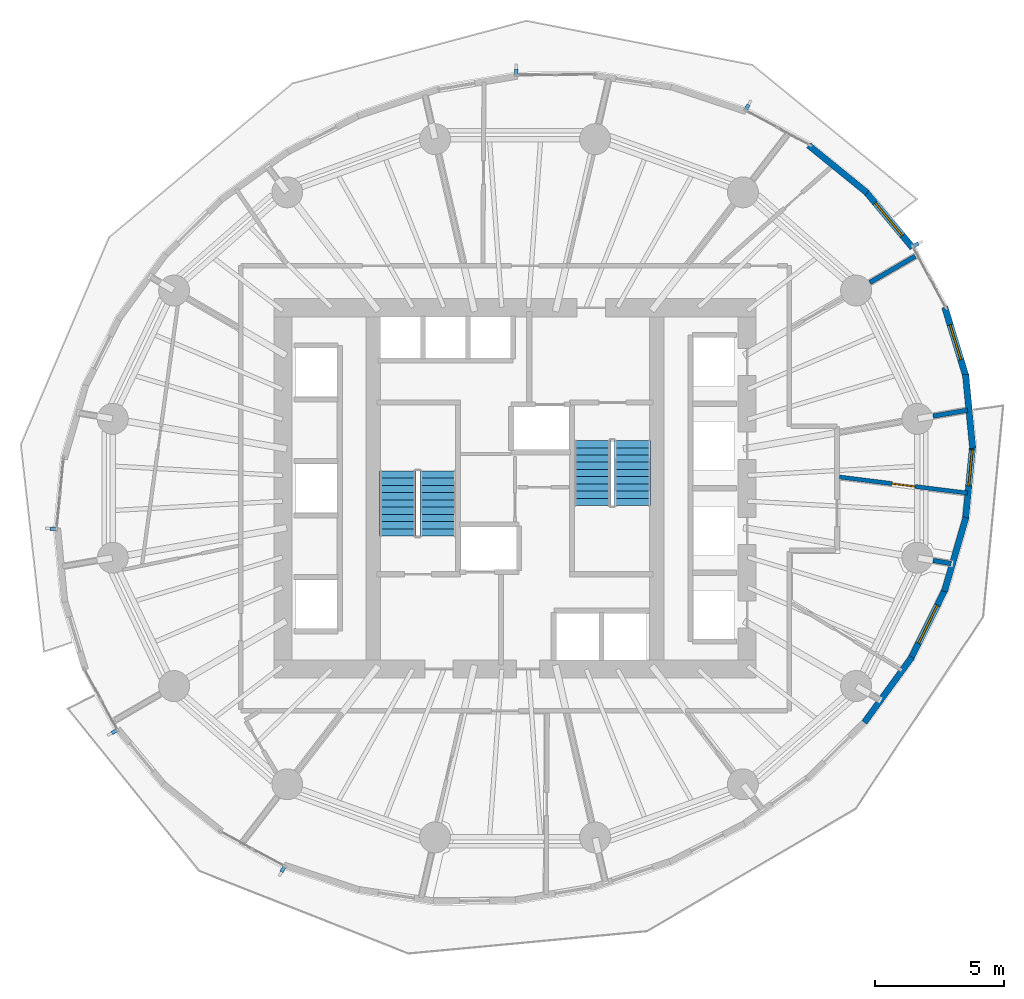
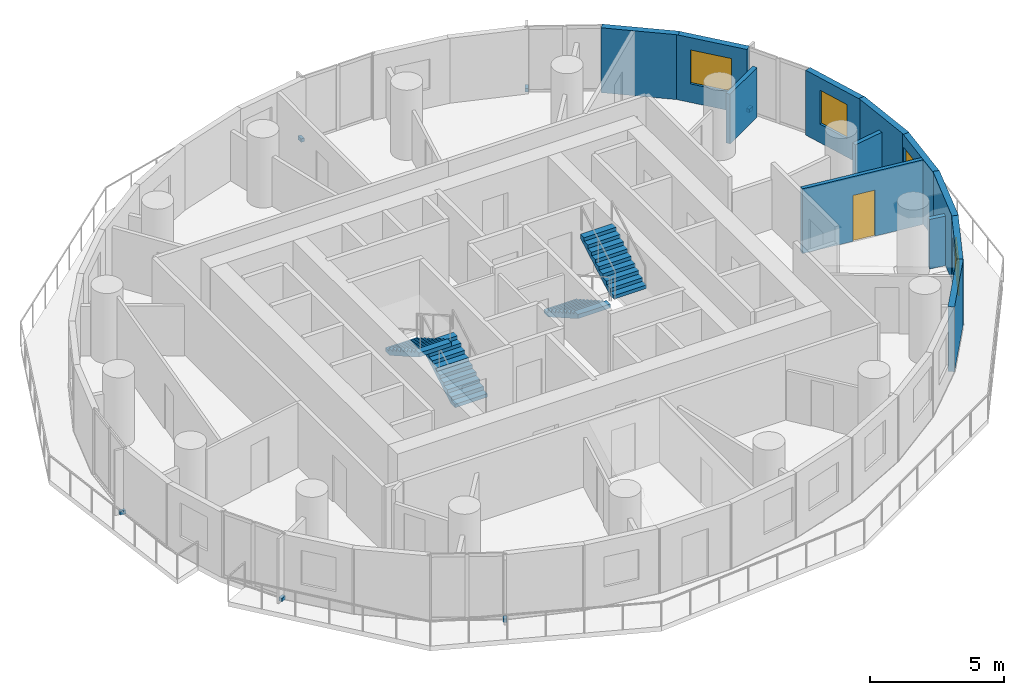
# One storey, part 10 of 14: 12 walls, 6 discrete accessories, 4 stair flights, 4 windows, 1 door, 5 openings, 2 elements without a shape of their own.
"""IFC4 building model written with IfcOpenShell, lengths in metres."""

from ifc_helpers import new_model, si_unit, direction, frame, frame_2d, origin, origin_2d, place, context, subcontext, project, spatial, polyline, rectangle, outline, extrude, material, layer, layer_set, type_object, element, fill, aggregate, save


model = new_model("IFC4")

# Units and contexts
model_context = context("Model", 3, precision=1e-05, world=origin(), true_north=direction((0.0, 1.0)))
body_context = subcontext(model_context, "Body", "Model", "MODEL_VIEW")
ifc_project = project(units=[si_unit("LENGTHUNIT", "METRE"), si_unit("AREAUNIT", "SQUARE_METRE"), si_unit("VOLUMEUNIT", "CUBIC_METRE"), si_unit("PLANEANGLEUNIT", "RADIAN"), si_unit("MASSUNIT", "GRAM", prefix="KILO")], contexts=[model_context])

# Site, building, storey
site_placement = place(None, origin())
site = spatial("IfcSite", under=ifc_project, at=site_placement, CompositionType="ELEMENT")
building_placement = place(site_placement, origin())
building = spatial("IfcBuilding", under=site, at=building_placement, Name="Veldorim Arch Residences", CompositionType="ELEMENT")
storey_placement = place(building_placement, frame((0.0, 0.0, 93.280029296875)))
storey = spatial("IfcBuildingStorey", under=building, at=storey_placement, Name="L27", CompositionType="ELEMENT", Elevation=93.280029296875)

# Walls
ifc_material_1 = material(Name="Lightweight Masonry Block & Gypsum", Category="masonry")
ifc_layer_1 = layer(ifc_material_1, 0.179931640625, Name="Compartment & Corridor Fire-Rated Party Wall 180")
ifc_layer_set_1 = layer_set([ifc_layer_1], Name="Lightweight Masonry Block & Gypsum")
wall_type_1 = type_object("IfcWallType", Name="Compartment & Corridor Fire-Rated Party Wall 180", PredefinedType="PARTITIONING", material=ifc_layer_set_1)
wall_1_placement = place(storey_placement, frame((48.20556640625, 26.797607421875, 0.0), z_axis=(0.0, 0.0, 1.0), x_axis=(0.98540615772, 0.170219576807, 0.0)))
element("IfcWall", 1, at=wall_1_placement, inside=storey, type_object=wall_type_1, Name="L27 interior wall WL-PIER-L27-01", PredefinedType="PARTITIONING", context=body_context, shape_type="SweptSolid", body=[
    extrude(rectangle(XDim=1.359619140625, YDim=0.179931640625, at=frame_2d((0.6796875, 0.0))), origin(), (0.0, 0.0, 1.0), 2.26025390625),
])
wall_2_placement = place(storey_placement, frame((45.756591796875, 31.977783203125, 0.0), z_axis=(0.0, 0.0, 1.0), x_axis=(0.865025978628, 0.501727073516, 0.0)))
element("IfcWall", 2, at=wall_2_placement, inside=storey, type_object=wall_type_1, Name="L27 interior wall WL-PIER-L27-02", PredefinedType="PARTITIONING", context=body_context, shape_type="SweptSolid", body=[
    extrude(rectangle(XDim=2.033447265625, YDim=0.179931640625, at=frame_2d((1.0166015625, 0.0))), origin(), (0.0, 0.0, 1.0), 2.26025390625),
])
wall_3_placement = place(storey_placement, frame((48.20556640625, 21.202392578125, 0.0), z_axis=(0.0, 0.0, 1.0), x_axis=(0.985420399327, -0.17013711115, 0.0)))
element("IfcWall", 3, at=wall_3_placement, inside=storey, type_object=wall_type_1, Name="L27 interior wall WL-PIER-L27-16", PredefinedType="PARTITIONING", context=body_context, shape_type="SweptSolid", body=[
    extrude(rectangle(XDim=0.710205078125, YDim=0.179931640625, at=frame_2d((0.35498046875, 0.0))), origin(), (0.0, 0.0, 1.0), 2.26025390625),
])

# Wall, opening, window
ifc_material_2 = material(Name="Precast concrete C40/50", Category="concrete")
ifc_layer_2 = layer(ifc_material_2, 0.25, Name="Tower Terracotta Spandrel & Pier Wall 250")
ifc_layer_set_2 = layer_set([ifc_layer_2], Name="Precast concrete C40/50")
wall_type_2 = type_object("IfcWallType", Name="Tower Terracotta Spandrel & Pier Wall 250", PredefinedType="SOLIDWALL", material=ifc_layer_set_2)
wall_4_placement = place(storey_placement, frame((45.571533203125, 35.534912109375, 0.0), z_axis=(0.0, 0.0, 1.0), x_axis=(0.640518566271, -0.76794268423, 0.0)))
wall_4 = element("IfcWall", 4, at=wall_4_placement, inside=storey, type_object=wall_type_2, Name="L27 terracotta facade wall 02", PredefinedType="SOLIDWALL", context=body_context, shape_type="SweptSolid", body=[
    extrude(rectangle(XDim=2.8740234375, YDim=0.25, at=frame_2d((1.43701171875, 0.0))), origin(), (0.0, 0.0, 1.0), 2.9599609375),
])
opening_1_placement = place(wall_4_placement, frame((0.612060546875, 0.0, 0.85009765625)))
opening_1 = element("IfcOpeningElement", 5, at=opening_1_placement, cuts=wall_4, Name="Opening WN-03", PredefinedType="OPENING", context=body_context, shape_type="SweptSolid", body=[
    extrude(rectangle(XDim=1.64990234375, YDim=1.550048828125, at=frame_2d((0.824951171875, 0.77490234375))), frame((0.0, 0.135009765625, 0.0), z_axis=(0.0, -1.0, 0.0), x_axis=(1.0, 0.0, 0.0)), (0.0, 0.0, 1.0), 0.27001953125),
])
ifc_material_3 = material(Name="Laminated Low-E Glass", Category="glass")
window_type_1 = type_object("IfcWindowType", Name="Residential Wide Window 1650x1550", PartitioningType="SINGLE_PANEL", PredefinedType="WINDOW", material=ifc_material_3)
window_1_placement = place(opening_1_placement, origin())
window_1 = element("IfcWindow", 6, at=window_1_placement, inside=storey, type_object=window_type_1, Name="L27 solar-control facade window 02", OverallHeight=1.550048828125, OverallWidth=1.64990234375, PartitioningType="SINGLE_PANEL", PredefinedType="WINDOW", context=body_context, shape_type="SweptSolid", body=[
    extrude(rectangle(XDim=1.64990234375, YDim=1.550048828125, at=frame_2d((0.824951171875, 0.77490234375))), frame((0.0, 0.030029296875, 0.0), z_axis=(0.0, -1.0, 0.0), x_axis=(1.0, 0.0, 0.0)), (0.0, 0.0, 1.0), 0.06005859375),
])
fill(opening_1, window_1)

# Walls
wall_5_placement = place(storey_placement, frame((43.383056640625, 37.2978515625, 0.0), z_axis=(0.0, 0.0, 1.0), x_axis=(0.776285131062, -0.630381943976, 0.0)))
element("IfcWall", 7, at=wall_5_placement, inside=storey, type_object=wall_type_2, Name="L27 terracotta facade wall 03", PredefinedType="SOLIDWALL", context=body_context, shape_type="SweptSolid", body=[
    extrude(rectangle(XDim=2.92333984375, YDim=0.25, at=frame_2d((1.461669921875, 0.0))), origin(), (0.0, 0.0, 1.0), 2.9599609375),
])
wall_6_placement = place(storey_placement, frame((47.386474609375, 17.453125, 0.0), z_axis=(0.0, 0.0, 1.0), x_axis=(-0.588208785685, -0.808709109905, 0.0)))
element("IfcWall", 8, at=wall_6_placement, inside=storey, type_object=wall_type_2, Name="L27 terracotta facade wall 31", PredefinedType="SOLIDWALL", context=body_context, shape_type="SweptSolid", body=[
    extrude(rectangle(XDim=3.131103515625, YDim=0.25, at=frame_2d((1.5654296875, 0.0))), origin(), (0.0, 0.0, 1.0), 2.9599609375),
])

# Wall, opening, window
wall_7_placement = place(storey_placement, frame((48.68798828125, 20.100830078125, 0.0), z_axis=(0.0, 0.0, 1.0), x_axis=(-0.443988069997, -0.896032696781, 0.0)))
wall_7 = element("IfcWall", 9, at=wall_7_placement, inside=storey, type_object=wall_type_2, Name="L27 terracotta facade wall 32", PredefinedType="SOLIDWALL", context=body_context, shape_type="SweptSolid", body=[
    extrude(rectangle(XDim=3.060546875, YDim=0.25, at=frame_2d((1.5302734375, 0.0))), origin(), (0.0, 0.0, 1.0), 2.9599609375),
])
opening_2_placement = place(wall_7_placement, frame((0.705078125, 0.0, 0.85009765625)))
opening_2 = element("IfcOpeningElement", 10, at=opening_2_placement, cuts=wall_7, Name="Opening WN-03", PredefinedType="OPENING", context=body_context, shape_type="SweptSolid", body=[
    extrude(rectangle(XDim=1.64990234375, YDim=1.550048828125, at=frame_2d((0.824951171875, 0.77490234375))), frame((0.0, 0.135009765625, 0.0), z_axis=(0.0, -1.0, 0.0), x_axis=(1.0, 0.0, 0.0)), (0.0, 0.0, 1.0), 0.27001953125),
])
window_2_placement = place(opening_2_placement, origin())
window_2 = element("IfcWindow", 11, at=window_2_placement, inside=storey, type_object=window_type_1, Name="L27 solar-control facade window 32", OverallHeight=1.550048828125, OverallWidth=1.64990234375, PartitioningType="SINGLE_PANEL", PredefinedType="WINDOW", context=body_context, shape_type="SweptSolid", body=[
    extrude(rectangle(XDim=1.64990234375, YDim=1.550048828125, at=frame_2d((0.824951171875, 0.77490234375))), frame((0.0, 0.030029296875, 0.0), z_axis=(0.0, -1.0, 0.0), x_axis=(1.0, 0.0, 0.0)), (0.0, 0.0, 1.0), 0.06005859375),
])
fill(opening_2, window_2)

# Wall
wall_8_placement = place(storey_placement, frame((49.4814453125, 22.866455078125, 0.0), z_axis=(0.0, 0.0, 1.0), x_axis=(-0.279152874041, -0.960246672952, 0.0)))
element("IfcWall", 12, at=wall_8_placement, inside=storey, type_object=wall_type_2, Name="L27 terracotta facade wall 33", PredefinedType="SOLIDWALL", context=body_context, shape_type="SweptSolid", body=[
    extrude(rectangle(XDim=2.988525390625, YDim=0.25, at=frame_2d((1.494140625, 0.0))), origin(), (0.0, 0.0, 1.0), 2.9599609375),
])

# Wall, opening, window
wall_9_placement = place(storey_placement, frame((49.743408203125, 25.665283203125, 0.0), z_axis=(0.0, 0.0, 1.0), x_axis=(-0.096873982201, -0.995296655059, 0.0)))
wall_9 = element("IfcWall", 13, at=wall_9_placement, inside=storey, type_object=wall_type_2, Name="L27 terracotta facade wall 34", PredefinedType="SOLIDWALL", context=body_context, shape_type="SweptSolid", body=[
    extrude(rectangle(XDim=2.92333984375, YDim=0.25, at=frame_2d((1.461669921875, 0.0))), origin(), (0.0, 0.0, 1.0), 2.9599609375),
])
opening_3_placement = place(wall_9_placement, frame((0.175048828125, 0.0, 0.85009765625)))
opening_3 = element("IfcOpeningElement", 14, at=opening_3_placement, cuts=wall_9, Name="Opening WN-02", PredefinedType="OPENING", context=body_context, shape_type="SweptSolid", body=[
    extrude(rectangle(XDim=1.39990234375, YDim=1.550048828125, at=frame_2d((0.699951171875, 0.77490234375))), frame((0.0, 0.135009765625, 0.0), z_axis=(0.0, -1.0, 0.0), x_axis=(1.0, 0.0, 0.0)), (0.0, 0.0, 1.0), 0.27001953125),
])
ifc_material_4 = material(Name="Laminated Low-E Glass", Category="glass")
window_type_2 = type_object("IfcWindowType", Name="Residential Casement Window 1400x1550", PartitioningType="SINGLE_PANEL", PredefinedType="WINDOW", material=ifc_material_4)
window_3_placement = place(opening_3_placement, origin())
window_3 = element("IfcWindow", 15, at=window_3_placement, inside=storey, type_object=window_type_2, Name="L27 solar-control facade window 34", OverallHeight=1.550048828125, OverallWidth=1.39990234375, PartitioningType="SINGLE_PANEL", PredefinedType="WINDOW", context=body_context, shape_type="SweptSolid", body=[
    extrude(rectangle(XDim=1.39990234375, YDim=1.550048828125, at=frame_2d((0.699951171875, 0.77490234375))), frame((0.0, 0.030029296875, 0.0), z_axis=(0.0, -1.0, 0.0), x_axis=(1.0, 0.0, 0.0)), (0.0, 0.0, 1.0), 0.06005859375),
])
fill(opening_3, window_3)

# Wall
wall_10_placement = place(storey_placement, frame((49.466552734375, 28.412109375, 0.0), z_axis=(0.0, 0.0, 1.0), x_axis=(0.096332339466, -0.995349225334, 0.0)))
element("IfcWall", 16, at=wall_10_placement, inside=storey, type_object=wall_type_2, Name="L27 terracotta facade wall 35", PredefinedType="SOLIDWALL", context=body_context, shape_type="SweptSolid", body=[
    extrude(rectangle(XDim=2.8740234375, YDim=0.25, at=frame_2d((1.43701171875, 0.0))), origin(), (0.0, 0.0, 1.0), 2.9599609375),
])

# Wall, opening, window
wall_11_placement = place(storey_placement, frame((48.659912109375, 31.0244140625, 0.0), z_axis=(0.0, 0.0, 1.0), x_axis=(0.291144558409, -0.956679071637, 0.0)))
wall_11 = element("IfcWall", 17, at=wall_11_placement, inside=storey, type_object=wall_type_2, Name="L27 terracotta facade wall 36", PredefinedType="SOLIDWALL", context=body_context, shape_type="SweptSolid", body=[
    extrude(rectangle(XDim=2.84765625, YDim=0.25, at=frame_2d((1.423828125, 0.0))), origin(), (0.0, 0.0, 1.0), 2.9599609375),
])
opening_4_placement = place(wall_11_placement, frame((0.72412109375, 0.0, 0.85009765625)))
opening_4 = element("IfcOpeningElement", 18, at=opening_4_placement, cuts=wall_11, Name="Opening WN-02", PredefinedType="OPENING", context=body_context, shape_type="SweptSolid", body=[
    extrude(rectangle(XDim=1.39990234375, YDim=1.550048828125, at=frame_2d((0.699951171875, 0.77490234375))), frame((0.0, 0.135009765625, 0.0), z_axis=(0.0, -1.0, 0.0), x_axis=(1.0, 0.0, 0.0)), (0.0, 0.0, 1.0), 0.27001953125),
])
window_4_placement = place(opening_4_placement, origin())
window_4 = element("IfcWindow", 19, at=window_4_placement, inside=storey, type_object=window_type_2, Name="L27 solar-control facade window 36", OverallHeight=1.550048828125, OverallWidth=1.39990234375, PartitioningType="SINGLE_PANEL", PredefinedType="WINDOW", context=body_context, shape_type="SweptSolid", body=[
    extrude(rectangle(XDim=1.39990234375, YDim=1.550048828125, at=frame_2d((0.699951171875, 0.77490234375))), frame((0.0, 0.030029296875, 0.0), z_axis=(0.0, -1.0, 0.0), x_axis=(1.0, 0.0, 0.0)), (0.0, 0.0, 1.0), 0.06005859375),
])
fill(opening_4, window_4)

# Wall, opening, door
ifc_material_5 = material(Name="Moisture-Resistant Gypsum & Stud", Category="gypsum")
ifc_layer_3 = layer(ifc_material_5, 0.159912109375, Name="Wet-Area Moisture-Resistant Plumbing Wall 160")
ifc_layer_set_3 = layer_set([ifc_layer_3], Name="Moisture-Resistant Gypsum & Stud")
wall_type_3 = type_object("IfcWallType", Name="Wet-Area Moisture-Resistant Plumbing Wall 160", PredefinedType="PLUMBINGWALL", material=ifc_layer_set_3)
wall_12_placement = place(storey_placement, frame((44.5791015625, 24.43798828125, 0.0), z_axis=(0.0, 0.0, 1.0), x_axis=(0.99219440442, -0.124700697023, 0.0)))
wall_12 = element("IfcWall", 20, at=wall_12_placement, inside=storey, type_object=wall_type_3, Name="L27 interior wall WL-RES-L27-017", PredefinedType="PLUMBINGWALL", context=body_context, shape_type="SweptSolid", body=[
    extrude(rectangle(XDim=5.008056640625, YDim=0.159912109375, at=frame_2d((2.50390625, 0.0))), origin(), (0.0, 0.0, 1.0), 2.955078125),
])
opening_5_placement = place(wall_12_placement, frame((2.053955078125, 0.0, 0.0)))
opening_5 = element("IfcOpeningElement", 21, at=opening_5_placement, cuts=wall_12, Name="Opening DR-WC", PredefinedType="OPENING", context=body_context, shape_type="SweptSolid", body=[
    extrude(rectangle(XDim=0.89990234375, YDim=2.10009765625, at=frame_2d((0.449951171875, 1.050048828125))), frame((0.0, 0.08984375, 0.0), z_axis=(0.0, -1.0, 0.0), x_axis=(1.0, 0.0, 0.0)), (0.0, 0.0, 1.0), 0.179931640625),
])
ifc_material_6 = material(Name="Laminate Timber", Category="wood")
door_type = type_object("IfcDoorType", Name="Bathroom & Accessible WC Moisture-Sealed Door 900x2100", OperationType="SINGLE_SWING_LEFT", PredefinedType="DOOR", material=ifc_material_6)
door_placement = place(opening_5_placement, origin())
door = element("IfcDoor", 22, at=door_placement, inside=storey, type_object=door_type, Name="L27 interior door DR-RES-L27-005", OperationType="SINGLE_SWING_LEFT", OverallHeight=2.10009765625, OverallWidth=0.89990234375, PredefinedType="DOOR", context=body_context, shape_type="SweptSolid", body=[
    extrude(rectangle(XDim=0.89990234375, YDim=2.10009765625, at=frame_2d((0.449951171875, 1.050048828125))), frame((0.0, 0.02490234375, 0.0), z_axis=(0.0, -1.0, 0.0), x_axis=(1.0, 0.0, 0.0)), (0.0, 0.0, 1.0), 0.050048828125),
])
fill(opening_5, door)

# Stair, stair flights
ifc_material_7 = material(Name="Concrete C40/50", Category="concrete")
stair_type = type_object("IfcStairType", Name="Reinforced Concrete Dogleg Exit Staircase", PredefinedType="HALF_TURN_STAIR", material=ifc_material_7)
stair_1_placement = place(storey_placement, origin())
stair_1 = element("IfcStair", 23, at=stair_1_placement, inside=storey, type_object=stair_type, Name="L27 Exit Staircase ST-1", PredefinedType="HALF_TURN_STAIR")
ifc_material_8 = material(Name="Concrete C40/50", Category="concrete")
stair_flight_type = type_object("IfcStairFlightType", Name="Reinforced Concrete Stair Flight 1400", PredefinedType="STRAIGHT", material=ifc_material_8)
stair_flight_1_placement = place(storey_placement, frame((29.010009765625, 22.14990234375, 0.0), z_axis=(0.0, 0.0, 1.0), x_axis=(0.0, 1.0, 0.0)))
stair_flight_1 = element("IfcStairFlight", 24, at=stair_flight_1_placement, type_object=stair_flight_type, Name="ST-1 flight 1", NumberOfRisers=10, NumberOfTreads=9, PredefinedType="STRAIGHT", RiserHeight=0.16, TreadLength=0.28, context=body_context, shape_type="SweptSolid", body=[
    extrude(outline(polyline([(0.0, 0.0), (0.0, 0.159912109375), (0.280029296875, 0.159912109375), (0.280029296875, 0.320068359375), (0.56005859375, 0.320068359375), (0.56005859375, 0.47998046875), (0.840087890625, 0.47998046875), (0.840087890625, 0.639892578125), (1.1201171875, 0.639892578125), (1.1201171875, 0.800048828125), (1.39990234375, 0.800048828125), (1.39990234375, 0.9599609375), (1.679931640625, 0.9599609375), (1.679931640625, 1.1201171875), (1.9599609375, 1.1201171875), (1.9599609375, 1.280029296875), (2.239990234375, 1.280029296875), (2.239990234375, 1.43994140625), (2.52001953125, 1.43994140625), (2.52001953125, 1.60009765625), (2.52001953125, 1.255859375), (0.322265625, 0.0), (0.0, 0.0)])), frame((0.0, 0.699951171875, 0.0), z_axis=(0.0, -1.0, 0.0), x_axis=(1.0, 0.0, 0.0)), (0.0, 0.0, 1.0), 1.39990234375),
])
stair_flight_2_placement = place(storey_placement, frame((27.449951171875, 24.669921875, 1.599853515625), z_axis=(0.0, 0.0, 1.0), x_axis=(0.0, -1.0, 0.0)))
stair_flight_2 = element("IfcStairFlight", 25, at=stair_flight_2_placement, type_object=stair_flight_type, Name="ST-1 flight 2", NumberOfRisers=10, NumberOfTreads=9, PredefinedType="STRAIGHT", RiserHeight=0.16, TreadLength=0.28, context=body_context, shape_type="SweptSolid", body=[
    extrude(outline(polyline([(0.0, 0.0), (0.0, 0.159912109375), (0.280029296875, 0.159912109375), (0.280029296875, 0.320068359375), (0.56005859375, 0.320068359375), (0.56005859375, 0.47998046875), (0.840087890625, 0.47998046875), (0.840087890625, 0.639892578125), (1.1201171875, 0.639892578125), (1.1201171875, 0.800048828125), (1.39990234375, 0.800048828125), (1.39990234375, 0.9599609375), (1.679931640625, 0.9599609375), (1.679931640625, 1.1201171875), (1.9599609375, 1.1201171875), (1.9599609375, 1.280029296875), (2.239990234375, 1.280029296875), (2.239990234375, 1.43994140625), (2.52001953125, 1.43994140625), (2.52001953125, 1.60009765625), (2.52001953125, 1.255859375), (0.322265625, 0.0), (0.0, 0.0)])), frame((0.0, 0.699951171875, 0.0), z_axis=(0.0, -1.0, 0.0), x_axis=(1.0, 0.0, 0.0)), (0.0, 0.0, 1.0), 1.39990234375),
])
aggregate(stair_1, [stair_flight_1, stair_flight_2])

stair_2_placement = place(storey_placement, origin())
stair_2 = element("IfcStair", 26, at=stair_2_placement, inside=storey, type_object=stair_type, Name="L27 Exit Staircase ST-2", PredefinedType="HALF_TURN_STAIR")
stair_flight_3_placement = place(storey_placement, frame((34.989990234375, 25.85009765625, 0.0), z_axis=(0.0, 0.0, 1.0), x_axis=(0.0, -1.0, 0.0)))
stair_flight_3 = element("IfcStairFlight", 27, at=stair_flight_3_placement, type_object=stair_flight_type, Name="ST-2 flight 1", NumberOfRisers=10, NumberOfTreads=9, PredefinedType="STRAIGHT", RiserHeight=0.16, TreadLength=0.28, context=body_context, shape_type="SweptSolid", body=[
    extrude(outline(polyline([(0.0, 0.0), (0.0, 0.159912109375), (0.280029296875, 0.159912109375), (0.280029296875, 0.320068359375), (0.56005859375, 0.320068359375), (0.56005859375, 0.47998046875), (0.840087890625, 0.47998046875), (0.840087890625, 0.639892578125), (1.1201171875, 0.639892578125), (1.1201171875, 0.800048828125), (1.39990234375, 0.800048828125), (1.39990234375, 0.9599609375), (1.679931640625, 0.9599609375), (1.679931640625, 1.1201171875), (1.9599609375, 1.1201171875), (1.9599609375, 1.280029296875), (2.239990234375, 1.280029296875), (2.239990234375, 1.43994140625), (2.52001953125, 1.43994140625), (2.52001953125, 1.60009765625), (2.52001953125, 1.255859375), (0.322265625, 0.0), (0.0, 0.0)])), frame((0.0, 0.699951171875, 0.0), z_axis=(0.0, -1.0, 0.0), x_axis=(1.0, 0.0, 0.0)), (0.0, 0.0, 1.0), 1.39990234375),
])
stair_flight_4_placement = place(storey_placement, frame((36.550048828125, 23.330078125, 1.599853515625), z_axis=(0.0, 0.0, 1.0), x_axis=(0.0, 1.0, 0.0)))
stair_flight_4 = element("IfcStairFlight", 28, at=stair_flight_4_placement, type_object=stair_flight_type, Name="ST-2 flight 2", NumberOfRisers=10, NumberOfTreads=9, PredefinedType="STRAIGHT", RiserHeight=0.16, TreadLength=0.28, context=body_context, shape_type="SweptSolid", body=[
    extrude(outline(polyline([(0.0, 0.0), (0.0, 0.159912109375), (0.280029296875, 0.159912109375), (0.280029296875, 0.320068359375), (0.56005859375, 0.320068359375), (0.56005859375, 0.47998046875), (0.840087890625, 0.47998046875), (0.840087890625, 0.639892578125), (1.1201171875, 0.639892578125), (1.1201171875, 0.800048828125), (1.39990234375, 0.800048828125), (1.39990234375, 0.9599609375), (1.679931640625, 0.9599609375), (1.679931640625, 1.1201171875), (1.9599609375, 1.1201171875), (1.9599609375, 1.280029296875), (2.239990234375, 1.280029296875), (2.239990234375, 1.43994140625), (2.52001953125, 1.43994140625), (2.52001953125, 1.60009765625), (2.52001953125, 1.255859375), (0.322265625, 0.0), (0.0, 0.0)])), frame((0.0, 0.699951171875, 0.0), z_axis=(0.0, -1.0, 0.0), x_axis=(1.0, 0.0, 0.0)), (0.0, 0.0, 1.0), 1.39990234375),
])
aggregate(stair_2, [stair_flight_3, stair_flight_4])

# Discrete accessories
ifc_material_9 = material(Name="Stainless Steel", Category="steel")
discrete_accessory_type = type_object("IfcDiscreteAccessoryType", Name="Stainless Steel Facade Fin Anchor Bracket", PredefinedType="BRACKET", material=ifc_material_9)
for number, where, z_axis, x_axis, name in (
    (29, (47.532470703125, 33.43408203125, -0.02001953125), (0.0, 0.0, 1.0), (0.476084726767, -0.879399416044, 0.0), "L27 stainless fin anchor bracket 01"),
    (30, (40.996826171875, 38.768310546875, -0.02001953125), (0.0, 0.0, 1.0), (0.879399416044, -0.476084726767, 0.0), "L27 stainless fin anchor bracket 04"),
    (31, (32.050537109375, 40.14208984375, -0.02001953125), (0.0, 0.0, 1.0), (0.999937615001, 0.011169874929, 0.0), "L27 stainless fin anchor bracket 07"),
    (32, (14.097412109375, 22.427978515625, -0.02001953125), (0.0, 0.0, 1.0), (0.096888076238, 0.995295283161, 0.0), "L27 stainless fin anchor bracket 16"),
    (33, (16.467529296875, 14.56591796875, -0.02001953125), (0.0, 0.0, 1.0), (-0.476084726767, 0.879399416044, 0.0), "L27 stainless fin anchor bracket 19"),
    (34, (23.003173828125, 9.231689453125, -0.02001953125), (0.0, 0.0, 1.0), (-0.879399416044, 0.476084726767, 0.0), "L27 stainless fin anchor bracket 22"),
):
    element("IfcDiscreteAccessory", number, at=place(storey_placement, frame(where, z_axis=z_axis, x_axis=x_axis)), inside=storey, type_object=discrete_accessory_type, Name=name, PredefinedType="BRACKET", context=body_context, shape_type="SweptSolid", body=[
        extrude(rectangle(XDim=0.139892578125, YDim=0.239990234375, at=origin_2d()), origin(), (0.0, 0.0, 1.0), 0.159912109375),
    ])

save(model, "model.ifc")
